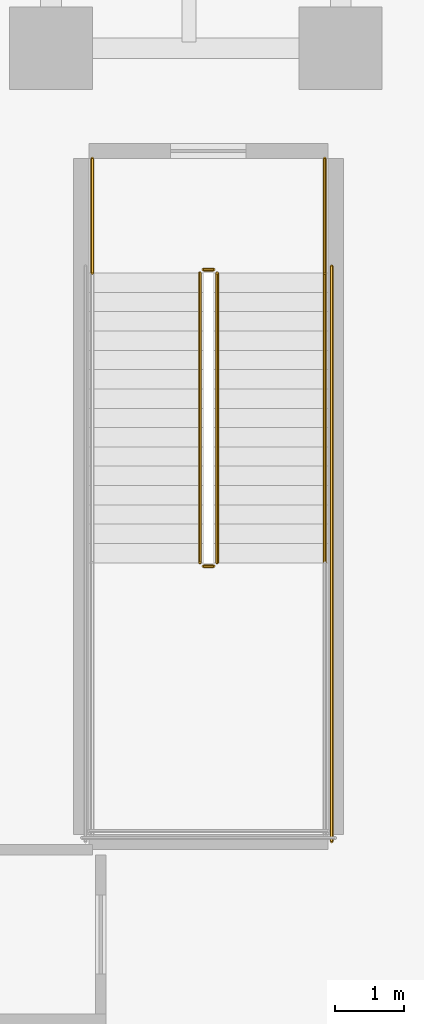
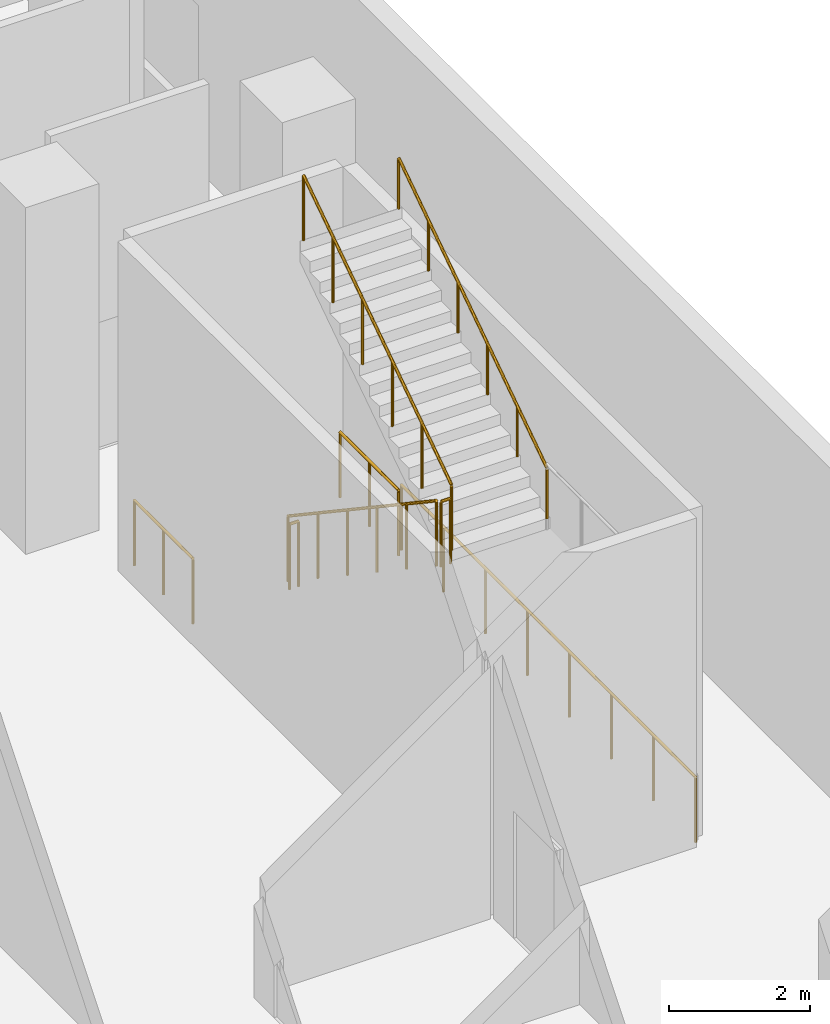
# One storey, part 21 of 22: 8 railings.
"""IFC4 building model written with IfcOpenShell, lengths in metres."""

import ifcopenshell
import ifcopenshell.guid

model = None  # the IFC model being written
_history = None  # IfcOwnerHistory: only IFC2X3 demands one
_inside = {}  # id of a spatial element -> (the spatial element, [elements in it])
_under = {}  # id of a project, library or spatial element -> (it, [spatial elements below it])
_declared = {}  # id of a project -> (the project, [libraries it declares])
_typed = {}  # id of a type object -> (the type object, [elements of that type])
_made_of = {}  # id of a material, layer set ... -> (it, [elements and type objects made of it])


def new_model(schema):
    """Start an empty IFC model of exactly this schema.

    Asked for "IFC4X3", IfcOpenShell would pick the latest addendum, in which some entities
    have other attributes; the version numbers below select the first issue.
    IFC2X3 requires an IfcOwnerHistory on every rooted entity: one is made here for all.
    """
    global model, _history
    if schema == "IFC4X3":
        model = ifcopenshell.file(schema_version=(4, 3, 0, 0))
    else:
        model = ifcopenshell.file(schema=schema)
    _inside.clear()
    _under.clear()
    _declared.clear()
    _typed.clear()
    _made_of.clear()
    _history = None
    if model.schema == "IFC2X3":
        org = make("IfcOrganization", Name="unknown")
        user = make(
            "IfcPersonAndOrganization",
            ThePerson=make("IfcPerson", FamilyName="unknown"),
            TheOrganization=org,
        )
        app = make(
            "IfcApplication",
            ApplicationDeveloper=org,
            Version="unknown",
            ApplicationFullName="unknown",
            ApplicationIdentifier="unknown",
        )
        _history = make(
            "IfcOwnerHistory",
            OwningUser=user,
            OwningApplication=app,
            ChangeAction="ADDED",
            CreationDate=0,
        )
    return model


def make(cls, **values):
    """One entity of the class cls with the attributes given. An attribute that is None is left unset."""
    return model.create_entity(
        cls, **{name: value for name, value in values.items() if value is not None}
    )


def rooted(cls, **values):
    """An entity with a GlobalId (a new one), such as an element, a storey or a relation."""
    return make(cls, GlobalId=ifcopenshell.guid.new(), OwnerHistory=_history, **values)


def si_unit(unit_type, name, prefix=None):
    """IfcSIUnit, for example si_unit("LENGTHUNIT", "METRE", prefix="MILLI")."""
    return make("IfcSIUnit", UnitType=unit_type, Prefix=prefix, Name=name)


def assignment(units):
    """IfcUnitAssignment: the units of a project."""
    return None if units is None else make("IfcUnitAssignment", Units=units)


def point(xyz):
    """IfcCartesianPoint."""
    return None if xyz is None else make("IfcCartesianPoint", Coordinates=xyz)


def direction(xyz):
    """IfcDirection."""
    return None if xyz is None else make("IfcDirection", DirectionRatios=xyz)


def frame(location, z_axis=None, x_axis=None):
    """IfcAxis2Placement3D, a coordinate frame: its origin and axes. An axis left out is left unset."""
    return make(
        "IfcAxis2Placement3D",
        Location=point(location),
        Axis=direction(z_axis),
        RefDirection=direction(x_axis),
    )


def frame_2d(location, x_axis=None):
    """IfcAxis2Placement2D, a coordinate frame in the plane: its origin and x axis."""
    return make(
        "IfcAxis2Placement2D", Location=point(location), RefDirection=direction(x_axis)
    )


def origin():
    """The frame at (0, 0, 0) with its axes left unset."""
    return frame((0.0, 0.0, 0.0))


def origin_2d():
    """The frame at (0, 0) in the plane with its x axis left unset."""
    return frame_2d((0.0, 0.0))


def place(relative_to, where):
    """IfcLocalPlacement: puts the frame where relative to a parent placement (None: the world)."""
    return make(
        "IfcLocalPlacement", PlacementRelTo=relative_to, RelativePlacement=where
    )


def context(
    kind, dimensions, precision=None, world=None, true_north=None, identifier=None
):
    """IfcGeometricRepresentationContext, for example the 3D "Model" context."""
    return make(
        "IfcGeometricRepresentationContext",
        ContextIdentifier=identifier,
        ContextType=kind,
        CoordinateSpaceDimension=dimensions,
        Precision=precision,
        WorldCoordinateSystem=world,
        TrueNorth=true_north,
    )


def subcontext(parent, identifier, kind, view, scale=None):
    """IfcGeometricRepresentationSubContext, for example "Body" below "Model"."""
    return make(
        "IfcGeometricRepresentationSubContext",
        ContextIdentifier=identifier,
        ContextType=kind,
        ParentContext=parent,
        TargetScale=scale,
        TargetView=view,
    )


def project(units=None, contexts=None):
    """IfcProject with its units and contexts."""
    return rooted(
        "IfcProject",
        Name="project",
        RepresentationContexts=contexts,
        UnitsInContext=assignment(units),
    )


def spatial(cls, under=None, at=None, **own):
    """A site, building, storey or space (cls), placed at a placement, below another one or the project."""
    s = rooted(cls, ObjectPlacement=at, **own)
    if under is not None:
        _under.setdefault(under.id(), (under, []))[1].append(s)
    return s


def profile(cls, at=None, kind="AREA", **sizes):
    """A parametric profile (cls). Its sizes go by their IFC names, for example OverallWidth=200.0."""
    return make(cls, ProfileType=kind, Position=at, **sizes)


def circle(**sizes):
    """IfcCircleProfileDef."""
    return profile("IfcCircleProfileDef", **sizes)


def extrude(swept, where, along, depth):
    """IfcExtrudedAreaSolid: the profile swept, set in the frame where, extruded along a direction by depth."""
    return make(
        "IfcExtrudedAreaSolid",
        SweptArea=swept,
        Position=where,
        ExtrudedDirection=direction(along),
        Depth=depth,
    )


def shape(context_of_items, identifier, shape_type, items):
    """IfcShapeRepresentation: the items that make up one representation, for example the "Body"."""
    return make(
        "IfcShapeRepresentation",
        ContextOfItems=context_of_items,
        RepresentationIdentifier=identifier,
        RepresentationType=shape_type,
        Items=items,
    )


def material(Name=None, Category=None):
    """IfcMaterial."""
    return make("IfcMaterial", Name=Name, Category=Category)


def made_of(thing, what):
    """Note that an element or type object is made of a material, layer set ...; save() writes the relation."""
    if what is not None:
        _made_of.setdefault(what.id(), (what, []))[1].append(thing)
    return thing


def type_object(cls, material=None, **own):
    """A type object (cls), such as IfcWallType, which elements share."""
    return made_of(rooted(cls, **own), material)


def element(
    cls,
    number,
    at=None,
    inside=None,
    cuts=None,
    type_object=None,
    material=None,
    context=None,
    identifier="Body",
    shape_type=None,
    held_by="IfcProductDefinitionShape",
    body=None,
    shapes=None,
    **own,
):
    """One element of the class cls, such as IfcWall. Its Tag is "e" and its number.

    at: its placement. inside: the storey or other place that contains it. cuts: it is an
    opening in that element (IfcRelVoidsElement). A single representation is given by context,
    identifier, shape_type and body (its items); several are given by shapes. held_by: the class
    of the entity that holds the representations. save() writes the other relations.
    """
    e = rooted(cls, Tag="e%d" % number, ObjectPlacement=at, **own)
    if body is not None:
        shapes = [shape(context, identifier, shape_type, body)]
    if shapes is not None:
        e.Representation = make(held_by, Representations=shapes)
    if inside is not None:
        _inside.setdefault(inside.id(), (inside, []))[1].append(e)
    if cuts is not None:
        rooted(
            "IfcRelVoidsElement", RelatingBuildingElement=cuts, RelatedOpeningElement=e
        )
    if type_object is not None:
        _typed.setdefault(type_object.id(), (type_object, []))[1].append(e)
    return made_of(e, material)


def aggregate(whole, parts):
    """IfcRelAggregates: a whole, such as a stair, and the parts it consists of."""
    return rooted("IfcRelAggregates", RelatingObject=whole, RelatedObjects=parts)


def save(model, path):
    """Write the relations noted so far, then the file.

    IfcRelAggregates (storeys below a building ...), IfcRelContainedInSpatialStructure (elements
    in a storey), IfcRelDefinesByType, IfcRelAssociatesMaterial and IfcRelDeclares: one each for
    every whole, place, type object, material and project.
    """
    for whole, parts in _under.values():
        aggregate(whole, parts)
    for where, things in _inside.values():
        rooted(
            "IfcRelContainedInSpatialStructure",
            RelatedElements=things,
            RelatingStructure=where,
        )
    for kind, things in _typed.values():
        rooted("IfcRelDefinesByType", RelatedObjects=things, RelatingType=kind)
    for what, things in _made_of.values():
        rooted("IfcRelAssociatesMaterial", RelatedObjects=things, RelatingMaterial=what)
    for by, libraries in _declared.values():
        rooted("IfcRelDeclares", RelatingContext=by, RelatedDefinitions=libraries)
    model.write(path)


model = new_model("IFC4")

# Units and contexts
model_context = context("Model", 3, precision=1e-05, world=origin(), true_north=direction((0.0, 1.0)))
body_context = subcontext(model_context, "Body", "Model", "MODEL_VIEW")
ifc_project = project(units=[si_unit("LENGTHUNIT", "METRE"), si_unit("AREAUNIT", "SQUARE_METRE"), si_unit("VOLUMEUNIT", "CUBIC_METRE"), si_unit("PLANEANGLEUNIT", "RADIAN"), si_unit("MASSUNIT", "GRAM", prefix="KILO")], contexts=[model_context])

# Site, building, storey
site_placement = place(None, origin())
site = spatial("IfcSite", under=ifc_project, at=site_placement, CompositionType="ELEMENT")
building_placement = place(site_placement, origin())
building = spatial("IfcBuilding", under=site, at=building_placement, Name="Khairoan Windgate Tower", CompositionType="ELEMENT")
storey_placement = place(building_placement, origin())
storey = spatial("IfcBuildingStorey", under=building, at=storey_placement, Name="L01", CompositionType="ELEMENT", Elevation=0.0)

# Railings
ifc_material_1 = material(Name="Anodised Bronze Aluminium 6063-T6", Category="aluminium")
railing_type_1 = type_object("IfcRailingType", Name="Stair Wall Handrail SHR-900", PredefinedType="HANDRAIL", material=ifc_material_1)
railing_1_placement = place(storey_placement, frame((33.969970703125, -15.860107421875, 3.1875)))
element("IfcRailing", 1, at=railing_1_placement, inside=storey, type_object=railing_type_1, Name="L01 ST3 stair handrail 2", PredefinedType="HANDRAIL", context=body_context, shape_type="SweptSolid", body=[
    extrude(circle(Radius=0.02392578125, at=origin_2d()), frame((0.0, 0.0, 0.8759765625), z_axis=(0.0, 0.830919138977, 0.55639319234), x_axis=(-1.0, 0.0, 0.0)), (0.0, 0.0, 1.0), 5.054931640625),
    extrude(circle(Radius=0.02099609375, at=origin_2d()), origin(), (0.0, 0.0, 1.0), 0.851806640625),
    extrude(circle(Radius=0.02099609375, at=origin_2d()), frame((0.0, 0.840087890625, 0.5625)), (0.0, 0.0, 1.0), 0.851806640625),
    extrude(circle(Radius=0.02099609375, at=origin_2d()), frame((0.0, 1.68017578125, 1.125)), (0.0, 0.0, 1.0), 0.851806640625),
    extrude(circle(Radius=0.02099609375, at=origin_2d()), frame((0.0, 2.52001953125, 1.6875)), (0.0, 0.0, 1.0), 0.851806640625),
    extrude(circle(Radius=0.02099609375, at=origin_2d()), frame((0.0, 3.360107421875, 2.25)), (0.0, 0.0, 1.0), 0.851806640625),
    extrude(circle(Radius=0.02099609375, at=origin_2d()), frame((0.0, 4.2001953125, 2.8125)), (0.0, 0.0, 1.0), 0.851806640625),
])
ifc_material_2 = material(Name="Steel S355", Category="steel")
railing_type_2 = type_object("IfcRailingType", Name="Stairwell Safety Guardrail SGR-1150", PredefinedType="GUARDRAIL", material=ifc_material_2)
railing_2_placement = place(storey_placement, frame((32.159912109375, -11.659912109375, 0.1875)))
element("IfcRailing", 2, at=railing_2_placement, inside=storey, type_object=railing_type_2, Name="L01 ST3 stair guard 1", PredefinedType="GUARDRAIL", context=body_context, shape_type="SweptSolid", body=[
    extrude(circle(Radius=0.02392578125, at=origin_2d()), frame((0.0, 0.0, 1.1259765625), z_axis=(0.0, -0.830919138977, 0.55639319234), x_axis=(1.0, 0.0, 0.0)), (0.0, 0.0, 1.0), 5.054931640625),
    extrude(circle(Radius=0.02099609375, at=origin_2d()), origin(), (0.0, 0.0, 1.0), 1.101806640625),
    extrude(circle(Radius=0.02099609375, at=origin_2d()), frame((0.0, -0.840087890625, 0.5625)), (0.0, 0.0, 1.0), 1.101806640625),
    extrude(circle(Radius=0.02099609375, at=origin_2d()), frame((0.0, -1.68017578125, 1.125)), (0.0, 0.0, 1.0), 1.101806640625),
    extrude(circle(Radius=0.02099609375, at=origin_2d()), frame((0.0, -2.52001953125, 1.6875)), (0.0, 0.0, 1.0), 1.101806640625),
    extrude(circle(Radius=0.02099609375, at=origin_2d()), frame((0.0, -3.360107421875, 2.25)), (0.0, 0.0, 1.0), 1.101806640625),
    extrude(circle(Radius=0.02099609375, at=origin_2d()), frame((0.0, -4.2001953125, 2.8125)), (0.0, 0.0, 1.0), 1.101806640625),
])
railing_3_placement = place(storey_placement, frame((32.2099609375, -15.909912109375, 3.0)))
element("IfcRailing", 3, at=railing_3_placement, inside=storey, type_object=railing_type_2, Name="L01 ST3 stair guard 2", PredefinedType="GUARDRAIL", context=body_context, shape_type="SweptSolid", body=[
    extrude(circle(Radius=0.02392578125, at=origin_2d()), frame((0.0, 0.0, 1.1259765625), z_axis=(1.0, 0.0, 0.0), x_axis=(0.0, 1.0, 0.0)), (0.0, 0.0, 1.0), 0.150146484375),
    extrude(circle(Radius=0.02099609375, at=origin_2d()), origin(), (0.0, 0.0, 1.0), 1.101806640625),
    extrude(circle(Radius=0.02099609375, at=origin_2d()), frame((0.150146484375, 0.0, 0.0)), (0.0, 0.0, 1.0), 1.101806640625),
])
railing_4_placement = place(storey_placement, frame((32.409912109375, -15.860107421875, 3.1875)))
element("IfcRailing", 4, at=railing_4_placement, inside=storey, type_object=railing_type_2, Name="L01 ST3 stair guard 6", PredefinedType="GUARDRAIL", context=body_context, shape_type="SweptSolid", body=[
    extrude(circle(Radius=0.02392578125, at=origin_2d()), frame((0.0, 0.0, 1.1259765625), z_axis=(0.0, 0.830919138977, 0.55639319234), x_axis=(-1.0, 0.0, 0.0)), (0.0, 0.0, 1.0), 5.054931640625),
    extrude(circle(Radius=0.02099609375, at=origin_2d()), origin(), (0.0, 0.0, 1.0), 1.101806640625),
    extrude(circle(Radius=0.02099609375, at=origin_2d()), frame((0.0, 0.840087890625, 0.5625)), (0.0, 0.0, 1.0), 1.101806640625),
    extrude(circle(Radius=0.02099609375, at=origin_2d()), frame((0.0, 1.68017578125, 1.125)), (0.0, 0.0, 1.0), 1.101806640625),
    extrude(circle(Radius=0.02099609375, at=origin_2d()), frame((0.0, 2.52001953125, 1.6875)), (0.0, 0.0, 1.0), 1.101806640625),
    extrude(circle(Radius=0.02099609375, at=origin_2d()), frame((0.0, 3.360107421875, 2.25)), (0.0, 0.0, 1.0), 1.101806640625),
    extrude(circle(Radius=0.02099609375, at=origin_2d()), frame((0.0, 4.2001953125, 2.8125)), (0.0, 0.0, 1.0), 1.101806640625),
])
railing_5_placement = place(storey_placement, frame((32.2099609375, -11.610107421875, 0.0)))
element("IfcRailing", 5, at=railing_5_placement, inside=storey, type_object=railing_type_2, Name="L01 ST3 stair guard 7", PredefinedType="GUARDRAIL", context=body_context, shape_type="SweptSolid", body=[
    extrude(circle(Radius=0.02392578125, at=origin_2d()), frame((0.0, 0.0, 1.1259765625), z_axis=(1.0, 0.0, 0.0), x_axis=(0.0, 1.0, 0.0)), (0.0, 0.0, 1.0), 0.150146484375),
    extrude(circle(Radius=0.02099609375, at=origin_2d()), origin(), (0.0, 0.0, 1.0), 1.101806640625),
    extrude(circle(Radius=0.02099609375, at=origin_2d()), frame((0.150146484375, 0.0, 0.0)), (0.0, 0.0, 1.0), 1.101806640625),
])
for number, where, name in (
    (6, (30.60009765625, -10.0, 0.0), "L01 ST3 stair guard 8"),
    (7, (33.969970703125, -10.0, 0.0), "L01 ST3 stair guard 9"),
):
    element("IfcRailing", number, at=place(storey_placement, frame(where)), inside=storey, type_object=railing_type_2, Name=name, PredefinedType="GUARDRAIL", context=body_context, shape_type="SweptSolid", body=[
        extrude(circle(Radius=0.02392578125, at=origin_2d()), frame((0.0, 0.0, 1.1259765625), z_axis=(0.0, -1.0, 0.0), x_axis=(1.0, 0.0, 0.0)), (0.0, 0.0, 1.0), 1.659912109375),
        extrude(circle(Radius=0.02099609375, at=origin_2d()), origin(), (0.0, 0.0, 1.0), 1.101806640625),
        extrude(circle(Radius=0.02099609375, at=origin_2d()), frame((0.0, -0.830078125, 0.0)), (0.0, 0.0, 1.0), 1.101806640625),
        extrude(circle(Radius=0.02099609375, at=origin_2d()), frame((0.0, -1.659912109375, 0.0)), (0.0, 0.0, 1.0), 1.101806640625),
    ])
railing_6_placement = place(storey_placement, frame((34.070068359375, -11.56005859375, 0.0)))
element("IfcRailing", 8, at=railing_6_placement, inside=storey, type_object=railing_type_2, Name="L01 ST3 stair guard 11", PredefinedType="GUARDRAIL", context=body_context, shape_type="SweptSolid", body=[
    extrude(circle(Radius=0.02392578125, at=origin_2d()), frame((0.0, 0.0, 1.1259765625), z_axis=(0.0, -1.0, 0.0), x_axis=(1.0, 0.0, 0.0)), (0.0, 0.0, 1.0), 8.33984375),
    extrude(circle(Radius=0.02099609375, at=origin_2d()), origin(), (0.0, 0.0, 1.0), 1.101806640625),
    extrude(circle(Radius=0.02099609375, at=origin_2d()), frame((0.0, -1.19140625, 0.0)), (0.0, 0.0, 1.0), 1.101806640625),
    extrude(circle(Radius=0.02099609375, at=origin_2d()), frame((0.0, -2.3828125, 0.0)), (0.0, 0.0, 1.0), 1.101806640625),
    extrude(circle(Radius=0.02099609375, at=origin_2d()), frame((0.0, -3.57421875, 0.0)), (0.0, 0.0, 1.0), 1.101806640625),
    extrude(circle(Radius=0.02099609375, at=origin_2d()), frame((0.0, -4.765625, 0.0)), (0.0, 0.0, 1.0), 1.101806640625),
    extrude(circle(Radius=0.02099609375, at=origin_2d()), frame((0.0, -5.95703125, 0.0)), (0.0, 0.0, 1.0), 1.101806640625),
    extrude(circle(Radius=0.02099609375, at=origin_2d()), frame((0.0, -7.1484375, 0.0)), (0.0, 0.0, 1.0), 1.101806640625),
    extrude(circle(Radius=0.02099609375, at=origin_2d()), frame((0.0, -8.33984375, 0.0)), (0.0, 0.0, 1.0), 1.101806640625),
])

save(model, "model.ifc")
